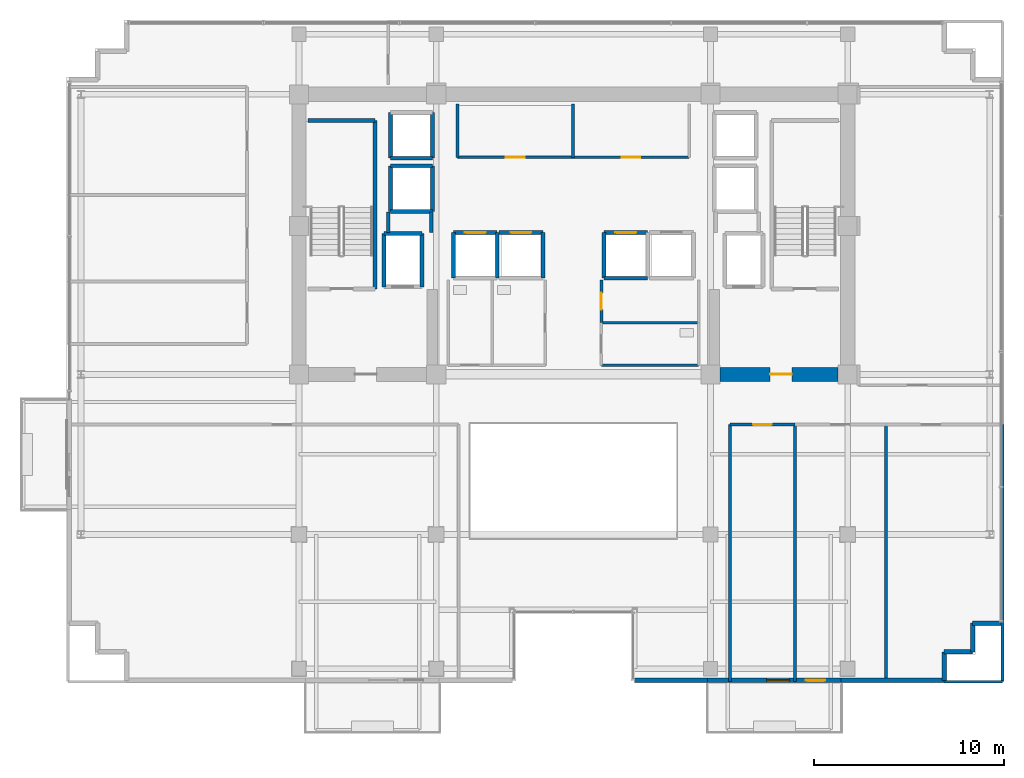
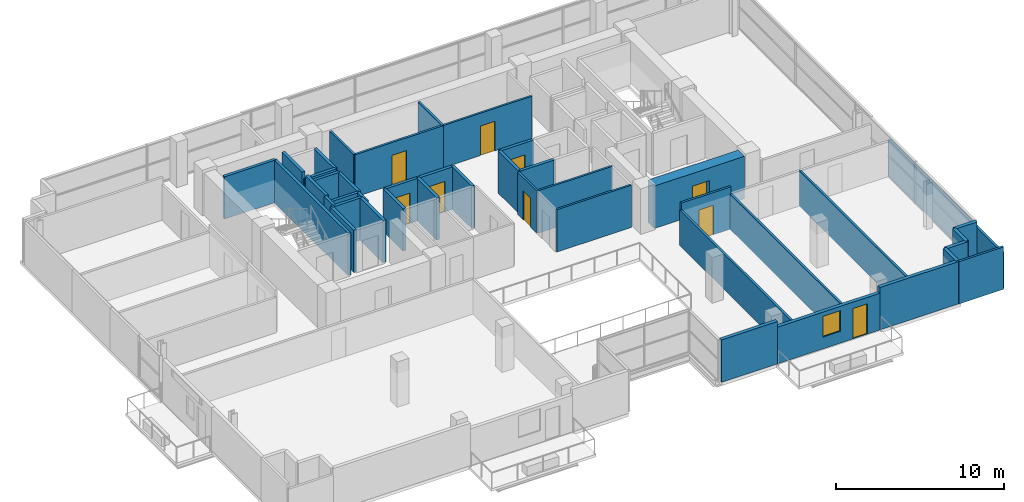
# One storey, part 15 of 21: 43 walls, 9 doors, 1 window, 10 openings.
"""IFC4 building model written with IfcOpenShell, lengths in metres."""

import ifcopenshell
import ifcopenshell.guid

model = None  # the IFC model being written
_history = None  # IfcOwnerHistory: only IFC2X3 demands one
_inside = {}  # id of a spatial element -> (the spatial element, [elements in it])
_under = {}  # id of a project, library or spatial element -> (it, [spatial elements below it])
_declared = {}  # id of a project -> (the project, [libraries it declares])
_typed = {}  # id of a type object -> (the type object, [elements of that type])
_made_of = {}  # id of a material, layer set ... -> (it, [elements and type objects made of it])


def new_model(schema):
    """Start an empty IFC model of exactly this schema.

    Asked for "IFC4X3", IfcOpenShell would pick the latest addendum, in which some entities
    have other attributes; the version numbers below select the first issue.
    IFC2X3 requires an IfcOwnerHistory on every rooted entity: one is made here for all.
    """
    global model, _history
    if schema == "IFC4X3":
        model = ifcopenshell.file(schema_version=(4, 3, 0, 0))
    else:
        model = ifcopenshell.file(schema=schema)
    _inside.clear()
    _under.clear()
    _declared.clear()
    _typed.clear()
    _made_of.clear()
    _history = None
    if model.schema == "IFC2X3":
        org = make("IfcOrganization", Name="unknown")
        user = make(
            "IfcPersonAndOrganization",
            ThePerson=make("IfcPerson", FamilyName="unknown"),
            TheOrganization=org,
        )
        app = make(
            "IfcApplication",
            ApplicationDeveloper=org,
            Version="unknown",
            ApplicationFullName="unknown",
            ApplicationIdentifier="unknown",
        )
        _history = make(
            "IfcOwnerHistory",
            OwningUser=user,
            OwningApplication=app,
            ChangeAction="ADDED",
            CreationDate=0,
        )
    return model


def make(cls, **values):
    """One entity of the class cls with the attributes given. An attribute that is None is left unset."""
    return model.create_entity(
        cls, **{name: value for name, value in values.items() if value is not None}
    )


def rooted(cls, **values):
    """An entity with a GlobalId (a new one), such as an element, a storey or a relation."""
    return make(cls, GlobalId=ifcopenshell.guid.new(), OwnerHistory=_history, **values)


def si_unit(unit_type, name, prefix=None):
    """IfcSIUnit, for example si_unit("LENGTHUNIT", "METRE", prefix="MILLI")."""
    return make("IfcSIUnit", UnitType=unit_type, Prefix=prefix, Name=name)


def assignment(units):
    """IfcUnitAssignment: the units of a project."""
    return None if units is None else make("IfcUnitAssignment", Units=units)


def point(xyz):
    """IfcCartesianPoint."""
    return None if xyz is None else make("IfcCartesianPoint", Coordinates=xyz)


def direction(xyz):
    """IfcDirection."""
    return None if xyz is None else make("IfcDirection", DirectionRatios=xyz)


def frame(location, z_axis=None, x_axis=None):
    """IfcAxis2Placement3D, a coordinate frame: its origin and axes. An axis left out is left unset."""
    return make(
        "IfcAxis2Placement3D",
        Location=point(location),
        Axis=direction(z_axis),
        RefDirection=direction(x_axis),
    )


def frame_2d(location, x_axis=None):
    """IfcAxis2Placement2D, a coordinate frame in the plane: its origin and x axis."""
    return make(
        "IfcAxis2Placement2D", Location=point(location), RefDirection=direction(x_axis)
    )


def origin():
    """The frame at (0, 0, 0) with its axes left unset."""
    return frame((0.0, 0.0, 0.0))


def place(relative_to, where):
    """IfcLocalPlacement: puts the frame where relative to a parent placement (None: the world)."""
    return make(
        "IfcLocalPlacement", PlacementRelTo=relative_to, RelativePlacement=where
    )


def context(
    kind, dimensions, precision=None, world=None, true_north=None, identifier=None
):
    """IfcGeometricRepresentationContext, for example the 3D "Model" context."""
    return make(
        "IfcGeometricRepresentationContext",
        ContextIdentifier=identifier,
        ContextType=kind,
        CoordinateSpaceDimension=dimensions,
        Precision=precision,
        WorldCoordinateSystem=world,
        TrueNorth=true_north,
    )


def subcontext(parent, identifier, kind, view, scale=None):
    """IfcGeometricRepresentationSubContext, for example "Body" below "Model"."""
    return make(
        "IfcGeometricRepresentationSubContext",
        ContextIdentifier=identifier,
        ContextType=kind,
        ParentContext=parent,
        TargetScale=scale,
        TargetView=view,
    )


def project(units=None, contexts=None):
    """IfcProject with its units and contexts."""
    return rooted(
        "IfcProject",
        Name="project",
        RepresentationContexts=contexts,
        UnitsInContext=assignment(units),
    )


def spatial(cls, under=None, at=None, **own):
    """A site, building, storey or space (cls), placed at a placement, below another one or the project."""
    s = rooted(cls, ObjectPlacement=at, **own)
    if under is not None:
        _under.setdefault(under.id(), (under, []))[1].append(s)
    return s


def profile(cls, at=None, kind="AREA", **sizes):
    """A parametric profile (cls). Its sizes go by their IFC names, for example OverallWidth=200.0."""
    return make(cls, ProfileType=kind, Position=at, **sizes)


def rectangle(**sizes):
    """IfcRectangleProfileDef."""
    return profile("IfcRectangleProfileDef", **sizes)


def extrude(swept, where, along, depth):
    """IfcExtrudedAreaSolid: the profile swept, set in the frame where, extruded along a direction by depth."""
    return make(
        "IfcExtrudedAreaSolid",
        SweptArea=swept,
        Position=where,
        ExtrudedDirection=direction(along),
        Depth=depth,
    )


def shape(context_of_items, identifier, shape_type, items):
    """IfcShapeRepresentation: the items that make up one representation, for example the "Body"."""
    return make(
        "IfcShapeRepresentation",
        ContextOfItems=context_of_items,
        RepresentationIdentifier=identifier,
        RepresentationType=shape_type,
        Items=items,
    )


def source(mapping_origin, context_of_items, identifier, shape_type, items):
    """IfcRepresentationMap: a shape defined once, which mapped items show again and again."""
    return make(
        "IfcRepresentationMap",
        MappingOrigin=mapping_origin,
        MappedRepresentation=shape(context_of_items, identifier, shape_type, items),
    )


def transform(
    local_origin,
    x_axis=None,
    y_axis=None,
    z_axis=None,
    scale=None,
    scale2=None,
    scale3=None,
    uniform=True,
):
    """IfcCartesianTransformationOperator3D, or its non-uniform kind. x_axis, y_axis, z_axis: its Axis1, 2, 3."""
    if uniform:
        return make(
            "IfcCartesianTransformationOperator3D",
            Axis1=direction(x_axis),
            Axis2=direction(y_axis),
            LocalOrigin=point(local_origin),
            Scale=scale,
            Axis3=direction(z_axis),
        )
    return make(
        "IfcCartesianTransformationOperator3DnonUniform",
        Axis1=direction(x_axis),
        Axis2=direction(y_axis),
        LocalOrigin=point(local_origin),
        Scale=scale,
        Axis3=direction(z_axis),
        Scale2=scale2,
        Scale3=scale3,
    )


def mapped(mapping_source, mapping_target):
    """IfcMappedItem: shows the shape of a source again, moved by a transform."""
    return make(
        "IfcMappedItem", MappingSource=mapping_source, MappingTarget=mapping_target
    )


def material(Name=None, Category=None):
    """IfcMaterial."""
    return make("IfcMaterial", Name=Name, Category=Category)


def layer(
    of_material, thickness, ventilated=None, Name=None, Category=None, Priority=None
):
    """IfcMaterialLayer: one layer of a wall or slab, of a material (None: an air gap)."""
    return make(
        "IfcMaterialLayer",
        Material=of_material,
        LayerThickness=thickness,
        IsVentilated=ventilated,
        Name=Name,
        Category=Category,
        Priority=Priority,
    )


def layer_set(layers, Name=None):
    """IfcMaterialLayerSet."""
    return make("IfcMaterialLayerSet", MaterialLayers=layers, LayerSetName=Name)


def made_of(thing, what):
    """Note that an element or type object is made of a material, layer set ...; save() writes the relation."""
    if what is not None:
        _made_of.setdefault(what.id(), (what, []))[1].append(thing)
    return thing


def type_object(cls, material=None, **own):
    """A type object (cls), such as IfcWallType, which elements share."""
    return made_of(rooted(cls, **own), material)


def element(
    cls,
    number,
    at=None,
    inside=None,
    cuts=None,
    type_object=None,
    material=None,
    context=None,
    identifier="Body",
    shape_type=None,
    held_by="IfcProductDefinitionShape",
    body=None,
    shapes=None,
    **own,
):
    """One element of the class cls, such as IfcWall. Its Tag is "e" and its number.

    at: its placement. inside: the storey or other place that contains it. cuts: it is an
    opening in that element (IfcRelVoidsElement). A single representation is given by context,
    identifier, shape_type and body (its items); several are given by shapes. held_by: the class
    of the entity that holds the representations. save() writes the other relations.
    """
    e = rooted(cls, Tag="e%d" % number, ObjectPlacement=at, **own)
    if body is not None:
        shapes = [shape(context, identifier, shape_type, body)]
    if shapes is not None:
        e.Representation = make(held_by, Representations=shapes)
    if inside is not None:
        _inside.setdefault(inside.id(), (inside, []))[1].append(e)
    if cuts is not None:
        rooted(
            "IfcRelVoidsElement", RelatingBuildingElement=cuts, RelatedOpeningElement=e
        )
    if type_object is not None:
        _typed.setdefault(type_object.id(), (type_object, []))[1].append(e)
    return made_of(e, material)


def fill(opening, filler):
    """IfcRelFillsElement: the door or window that sits in an opening."""
    return rooted(
        "IfcRelFillsElement",
        RelatingOpeningElement=opening,
        RelatedBuildingElement=filler,
    )


def aggregate(whole, parts):
    """IfcRelAggregates: a whole, such as a stair, and the parts it consists of."""
    return rooted("IfcRelAggregates", RelatingObject=whole, RelatedObjects=parts)


def save(model, path):
    """Write the relations noted so far, then the file.

    IfcRelAggregates (storeys below a building ...), IfcRelContainedInSpatialStructure (elements
    in a storey), IfcRelDefinesByType, IfcRelAssociatesMaterial and IfcRelDeclares: one each for
    every whole, place, type object, material and project.
    """
    for whole, parts in _under.values():
        aggregate(whole, parts)
    for where, things in _inside.values():
        rooted(
            "IfcRelContainedInSpatialStructure",
            RelatedElements=things,
            RelatingStructure=where,
        )
    for kind, things in _typed.values():
        rooted("IfcRelDefinesByType", RelatedObjects=things, RelatingType=kind)
    for what, things in _made_of.values():
        rooted("IfcRelAssociatesMaterial", RelatedObjects=things, RelatingMaterial=what)
    for by, libraries in _declared.values():
        rooted("IfcRelDeclares", RelatingContext=by, RelatedDefinitions=libraries)
    model.write(path)


model = new_model("IFC4")

# Units and contexts
model_context = context("Model", 3, precision=1e-05, world=origin(), true_north=direction((0.0, 1.0)))
body_context = subcontext(model_context, "Body", "Model", "MODEL_VIEW")
ifc_project = project(units=[si_unit("LENGTHUNIT", "METRE"), si_unit("AREAUNIT", "SQUARE_METRE"), si_unit("VOLUMEUNIT", "CUBIC_METRE"), si_unit("PLANEANGLEUNIT", "RADIAN"), si_unit("MASSUNIT", "GRAM", prefix="KILO")], contexts=[model_context])

# Site, building, storey
site_placement = place(None, origin())
site = spatial("IfcSite", under=ifc_project, at=site_placement, CompositionType="ELEMENT")
building_placement = place(site_placement, origin())
building = spatial("IfcBuilding", under=site, at=building_placement, Name="Zarnakvel Exchange Tower", CompositionType="ELEMENT")
storey_placement = place(building_placement, frame((0.0, 0.0, 159.39990234375)))
storey = spatial("IfcBuildingStorey", under=building, at=storey_placement, Name="L44", CompositionType="ELEMENT", Elevation=159.39990234375)

# Wall, opening, door
ifc_material_1 = material(Name="Concrete C60/75", Category="concrete")
ifc_layer_1 = layer(ifc_material_1, 0.75)
ifc_layer_set_1 = layer_set([ifc_layer_1], Name="Concrete C60/75")
wall_type_1 = type_object("IfcWallType", Name="CW-C3", PredefinedType="SHEAR", material=ifc_layer_set_1)
wall_1_placement = place(storey_placement, frame((13.89990234375, -1.199951171875, 0.0), z_axis=(0.0, 0.0, 1.0), x_axis=(-1.0, 0.0, 0.0)))
wall_1 = element("IfcWall", 1, at=wall_1_placement, inside=storey, type_object=wall_type_1, Name="L44 Rear Core Shear Wall SE (CW-C3)", PredefinedType="SHEAR", context=body_context, shape_type="SweptSolid", body=[
    extrude(rectangle(XDim=6.199951171875, YDim=0.75, at=frame_2d((3.10009765625, 0.0))), origin(), (0.0, 0.0, 1.0), 3.0751953125),
])
opening_1_placement = place(wall_1_placement, frame((2.425048828125, 0.0, 0.0)))
opening_1 = element("IfcOpeningElement", 2, at=opening_1_placement, cuts=wall_1, Name="Opening D-L44-04", PredefinedType="OPENING", context=body_context, shape_type="SweptSolid", body=[
    extrude(rectangle(XDim=1.14990234375, YDim=2.14990234375, at=frame_2d((0.574951171875, 1.074951171875))), frame((0.0, 0.385009765625, 0.0), z_axis=(0.0, -1.0, 0.0), x_axis=(1.0, 0.0, 0.0)), (0.0, 0.0, 1.0), 0.77001953125),
])
ifc_material_2 = material(Name="Painted Galvanised Steel S355", Category="steel")
door_type_1 = type_object("IfcDoorType", Name="DT-04", OperationType="NOTDEFINED", PredefinedType="DOOR", material=ifc_material_2)
shared_shape_1 = source(origin(), body_context, "Body", "SweptSolid", [
    extrude(rectangle(XDim=1.14990234375, YDim=2.14990234375, at=frame_2d((0.574951171875, 1.074951171875))), frame((0.0, 0.02490234375, 0.0), z_axis=(0.0, -1.0, 0.0), x_axis=(1.0, 0.0, 0.0)), (0.0, 0.0, 1.0), 0.050048828125),
])
door_1_placement = place(opening_1_placement, origin())
door_1 = element("IfcDoor", 3, at=door_1_placement, inside=storey, type_object=door_type_1, Name="L44 Firefighting Lobby East Door D-L44-04", OperationType="SINGLE_SWING_RIGHT", OverallHeight=2.14990234375, OverallWidth=1.14990234375, PredefinedType="DOOR", context=body_context, shape_type="MappedRepresentation", body=[
    mapped(shared_shape_1, transform((0.0, 0.0, 0.0), x_axis=(1.0, 0.0, 0.0), y_axis=(0.0, 1.0, 0.0), z_axis=(0.0, 0.0, 1.0), scale=1.0)),
])
fill(opening_1, door_1)

# Wall, openings, door, window
ifc_material_3 = material(Name="Precast concrete C40/50", Category="concrete")
ifc_layer_2 = layer(ifc_material_3, 0.239990234375)
ifc_layer_set_2 = layer_set([ifc_layer_2], Name="Precast concrete C40/50")
wall_type_2 = type_object("IfcWallType", Name="EW-02", PredefinedType="SOLIDWALL", material=ifc_layer_set_2)
wall_2_placement = place(storey_placement, frame((14.050048828125, -17.260009765625, 0.0), z_axis=(0.0, 0.0, 1.0), x_axis=(-1.0, 0.0, 0.0)))
wall_2 = element("IfcWall", 4, at=wall_2_placement, inside=storey, type_object=wall_type_2, Name="L44 Exterior Precast Spandrel Wall EW-BAL-L44-SE (EW-02)", PredefinedType="SOLIDWALL", context=body_context, shape_type="SweptSolid", body=[
    extrude(rectangle(XDim=7.0, YDim=0.239990234375, at=frame_2d((3.5, 0.0))), origin(), (0.0, 0.0, 1.0), 2.6650390625),
])
opening_2_placement = place(wall_2_placement, frame((0.840087890625, 0.0, 0.0)))
opening_2 = element("IfcOpeningElement", 5, at=opening_2_placement, cuts=wall_2, Name="Opening BD-L44-02", PredefinedType="OPENING", context=body_context, shape_type="SweptSolid", body=[
    extrude(rectangle(XDim=1.0, YDim=2.199951171875, at=frame_2d((0.5, 1.10009765625))), frame((0.0, 0.1298828125, 0.0), z_axis=(0.0, -1.0, 0.0), x_axis=(1.0, 0.0, 0.0)), (0.0, 0.0, 1.0), 0.260009765625),
])
opening_3_placement = place(wall_2_placement, frame((2.699951171875, 0.0, 0.85009765625)))
opening_3 = element("IfcOpeningElement", 6, at=opening_3_placement, cuts=wall_2, Name="Opening WN-04", PredefinedType="OPENING", context=body_context, shape_type="SweptSolid", body=[
    extrude(rectangle(XDim=1.199951171875, YDim=1.5, at=frame_2d((0.60009765625, 0.75))), frame((0.0, 0.1298828125, 0.0), z_axis=(0.0, -1.0, 0.0), x_axis=(1.0, 0.0, 0.0)), (0.0, 0.0, 1.0), 0.260009765625),
])
ifc_material_4 = material(Name="Architectural Bronze Anodised Aluminium", Category="aluminium")
door_type_2 = type_object("IfcDoorType", Name="DT-09", OperationType="NOTDEFINED", PredefinedType="DOOR", material=ifc_material_4)
shared_shape_2 = source(origin(), body_context, "Body", "SweptSolid", [
    extrude(rectangle(XDim=1.0, YDim=2.199951171875, at=frame_2d((0.5, 1.10009765625))), frame((0.0, 0.02490234375, 0.0), z_axis=(0.0, -1.0, 0.0), x_axis=(1.0, 0.0, 0.0)), (0.0, 0.0, 1.0), 0.050048828125),
])
door_2_placement = place(opening_2_placement, origin())
door_2 = element("IfcDoor", 7, at=door_2_placement, inside=storey, type_object=door_type_2, Name="L44 Planted Loggia Balcony Door BD-L44-02", OperationType="SINGLE_SWING_LEFT", OverallHeight=2.199951171875, OverallWidth=1.0, PredefinedType="DOOR", context=body_context, shape_type="MappedRepresentation", body=[
    mapped(shared_shape_2, transform((0.0, 0.0, 0.0), x_axis=(1.0, 0.0, 0.0), y_axis=(0.0, 1.0, 0.0), z_axis=(0.0, 0.0, 1.0), scale=1.0)),
])
fill(opening_2, door_2)
ifc_material_5 = material(Name="Double Low-E Laminated Vision Glass", Category="glass")
window_type = type_object("IfcWindowType", Name="WN-04", PartitioningType="SINGLE_PANEL", PredefinedType="WINDOW", material=ifc_material_5)
shared_shape_3 = source(origin(), body_context, "Body", "SweptSolid", [
    extrude(rectangle(XDim=1.199951171875, YDim=1.5, at=frame_2d((0.60009765625, 0.75))), frame((0.0, 0.030029296875, 0.0), z_axis=(0.0, -1.0, 0.0), x_axis=(1.0, 0.0, 0.0)), (0.0, 0.0, 1.0), 0.06005859375),
])
window_placement = place(opening_3_placement, origin())
window = element("IfcWindow", 8, at=window_placement, inside=storey, type_object=window_type, Name="L44 Loggia Daylight Window (WN-04)", OverallHeight=1.5, OverallWidth=1.199951171875, PartitioningType="SINGLE_PANEL", PredefinedType="WINDOW", context=body_context, shape_type="MappedRepresentation", body=[
    mapped(shared_shape_3, transform((0.0, 0.0, 0.0), x_axis=(1.0, 0.0, 0.0), y_axis=(0.0, 1.0, 0.0), z_axis=(0.0, 0.0, 1.0), scale=1.0)),
])
fill(opening_3, window)

# Walls
for number, where, z_axis, x_axis, name in (
    (9, (20.9599609375, -14.260009765625, 0.0), (0.0, 0.0, 1.0), (1.0, 0.0, 0.0), "L44 Exterior Precast Spandrel Wall EWC-L44-11 (EW-02)"),
    (10, (20.9599609375, -15.760009765625, 0.0), (0.0, 0.0, 1.0), (0.0, 1.0, 0.0), "L44 Exterior Precast Spandrel Wall EWC-L44-12 (EW-02)"),
    (11, (19.4599609375, -15.760009765625, 0.0), (0.0, 0.0, 1.0), (1.0, 0.0, 0.0), "L44 Exterior Precast Spandrel Wall EWC-L44-13 (EW-02)"),
    (12, (19.4599609375, -17.260009765625, 0.0), (0.0, 0.0, 1.0), (0.0, 1.0, 0.0), "L44 Exterior Precast Spandrel Wall EWC-L44-14 (EW-02)"),
):
    element("IfcWall", number, at=place(storey_placement, frame(where, z_axis=z_axis, x_axis=x_axis)), inside=storey, type_object=wall_type_2, Name=name, PredefinedType="SOLIDWALL", context=body_context, shape_type="SweptSolid", body=[
        extrude(rectangle(XDim=1.5, YDim=0.239990234375, at=frame_2d((0.75, 0.0))), origin(), (0.0, 0.0, 1.0), 3.0751953125),
    ])
wall_3_placement = place(storey_placement, frame((14.050048828125, -17.260009765625, 0.0), z_axis=(0.0, 0.0, 1.0), x_axis=(1.0, 0.0, 0.0)))
element("IfcWall", 13, at=wall_3_placement, inside=storey, type_object=wall_type_2, Name="L44 Exterior Precast Spandrel Wall EWC-L44-15 (EW-02)", PredefinedType="SOLIDWALL", context=body_context, shape_type="SweptSolid", body=[
    extrude(rectangle(XDim=5.409912109375, YDim=0.239990234375, at=frame_2d((2.705078125, 0.0))), origin(), (0.0, 0.0, 1.0), 3.0751953125),
])
wall_4_placement = place(storey_placement, frame((3.199951171875, -17.260009765625, 0.0), z_axis=(0.0, 0.0, 1.0), x_axis=(1.0, 0.0, 0.0)))
element("IfcWall", 14, at=wall_4_placement, inside=storey, type_object=wall_type_2, Name="L44 Exterior Precast Spandrel Wall EWC-L44-16 (EW-02)", PredefinedType="SOLIDWALL", context=body_context, shape_type="SweptSolid", body=[
    extrude(rectangle(XDim=3.85009765625, YDim=0.239990234375, at=frame_2d((1.925048828125, 0.0))), origin(), (0.0, 0.0, 1.0), 3.0751953125),
])

# Wall, opening, door
ifc_material_6 = material(Name="Fire-Rated Gypsum Stud Partition", Category="gypsum")
ifc_layer_3 = layer(ifc_material_6, 0.14990234375)
ifc_layer_set_3 = layer_set([ifc_layer_3], Name="Fire-Rated Gypsum Stud Partition")
wall_type_3 = type_object("IfcWallType", Name="PT-01", PredefinedType="PARTITIONING", material=ifc_layer_set_3)
wall_5_placement = place(storey_placement, frame((-0.02001953125, 10.199951171875, 0.0), z_axis=(0.0, 0.0, 1.0), x_axis=(-1.0, 0.0, 0.0)))
wall_5 = element("IfcWall", 15, at=wall_5_placement, inside=storey, type_object=wall_type_3, Name="L44 Partition Wall PWALL-L44-011 (PT-01)", PredefinedType="PARTITIONING", context=body_context, shape_type="SweptSolid", body=[
    extrude(rectangle(XDim=6.06005859375, YDim=0.14990234375, at=frame_2d((3.030029296875, 0.0))), origin(), (0.0, 0.0, 1.0), 3.0751953125),
])
opening_4_placement = place(wall_5_placement, frame((2.5400390625, 0.0, 0.0)))
opening_4 = element("IfcOpeningElement", 16, at=opening_4_placement, cuts=wall_5, Name="Opening D-L44-05", PredefinedType="OPENING", context=body_context, shape_type="SweptSolid", body=[
    extrude(rectangle(XDim=0.97998046875, YDim=2.14990234375, at=frame_2d((0.489990234375, 1.074951171875))), frame((0.0, 0.0849609375, 0.0), z_axis=(0.0, -1.0, 0.0), x_axis=(1.0, 0.0, 0.0)), (0.0, 0.0, 1.0), 0.169921875),
])
ifc_material_7 = material(Name="Timber Acoustic Veneer", Category="wood")
door_type_3 = type_object("IfcDoorType", Name="DT-05", OperationType="NOTDEFINED", PredefinedType="DOOR", material=ifc_material_7)
shared_shape_4 = source(origin(), body_context, "Body", "SweptSolid", [
    extrude(rectangle(XDim=0.97998046875, YDim=2.14990234375, at=frame_2d((0.489990234375, 1.074951171875))), frame((0.0, 0.02490234375, 0.0), z_axis=(0.0, -1.0, 0.0), x_axis=(1.0, 0.0, 0.0)), (0.0, 0.0, 1.0), 0.050048828125),
])
door_3_placement = place(opening_4_placement, origin())
door_3 = element("IfcDoor", 17, at=door_3_placement, inside=storey, type_object=door_type_3, Name="L44 Settlement Records Suite Door D-L44-05", OperationType="SINGLE_SWING_LEFT", OverallHeight=2.14990234375, OverallWidth=0.97998046875, PredefinedType="DOOR", context=body_context, shape_type="MappedRepresentation", body=[
    mapped(shared_shape_4, transform((0.0, 0.0, 0.0), x_axis=(1.0, 0.0, 0.0), y_axis=(0.0, 1.0, 0.0), z_axis=(0.0, 0.0, 1.0), scale=1.0)),
])
fill(opening_4, door_3)

# Walls
for number, where, z_axis, x_axis, name in (
    (18, (-6.080078125, 10.199951171875, 0.0), (0.0, 0.0, 1.0), (0.0, 1.0, 0.0), "L44 Partition Wall PWALL-L44-012 (PT-01)"),
    (19, (-0.02001953125, 13.0, 0.0), (0.0, 0.0, 1.0), (0.0, -1.0, 0.0), "L44 Partition Wall PWALL-L44-013 (PT-01)"),
):
    element("IfcWall", number, at=place(storey_placement, frame(where, z_axis=z_axis, x_axis=x_axis)), inside=storey, type_object=wall_type_3, Name=name, PredefinedType="PARTITIONING", context=body_context, shape_type="SweptSolid", body=[
        extrude(rectangle(XDim=2.800048828125, YDim=0.14990234375, at=frame_2d((1.39990234375, 0.0))), origin(), (0.0, 0.0, 1.0), 3.0751953125),
    ])

# Wall, opening, door
wall_6_placement = place(storey_placement, frame((1.469970703125, 1.52001953125, 0.0), z_axis=(0.0, 0.0, 1.0), x_axis=(0.0, 1.0, 0.0)))
wall_6 = element("IfcWall", 20, at=wall_6_placement, inside=storey, type_object=wall_type_3, Name="L44 Partition Wall PWALL-L44-025 (PT-01)", PredefinedType="PARTITIONING", context=body_context, shape_type="SweptSolid", body=[
    extrude(rectangle(XDim=2.239990234375, YDim=0.14990234375, at=frame_2d((1.1201171875, 0.0))), origin(), (0.0, 0.0, 1.0), 3.0751953125),
])
opening_5_placement = place(wall_6_placement, frame((0.679931640625, 0.0, 0.0)))
opening_5 = element("IfcOpeningElement", 21, at=opening_5_placement, cuts=wall_6, Name="Opening D-L44-10", PredefinedType="OPENING", context=body_context, shape_type="SweptSolid", body=[
    extrude(rectangle(XDim=0.8798828125, YDim=2.10009765625, at=frame_2d((0.43994140625, 1.050048828125))), frame((0.0, 0.0849609375, 0.0), z_axis=(0.0, -1.0, 0.0), x_axis=(1.0, 0.0, 0.0)), (0.0, 0.0, 1.0), 0.169921875),
])
door_type_4 = type_object("IfcDoorType", Name="DT-08", OperationType="NOTDEFINED", PredefinedType="DOOR", material=ifc_material_2)
shared_shape_5 = source(origin(), body_context, "Body", "SweptSolid", [
    extrude(rectangle(XDim=0.8798828125, YDim=2.10009765625, at=frame_2d((0.43994140625, 1.050048828125))), frame((0.0, 0.02490234375, 0.0), z_axis=(0.0, -1.0, 0.0), x_axis=(1.0, 0.0, 0.0)), (0.0, 0.0, 1.0), 0.050048828125),
])
door_4_placement = place(opening_5_placement, origin())
door_4 = element("IfcDoor", 22, at=door_4_placement, inside=storey, type_object=door_type_4, Name="L44 Cleaners Store Door D-L44-10", OperationType="SINGLE_SWING_RIGHT", OverallHeight=2.10009765625, OverallWidth=0.8798828125, PredefinedType="DOOR", context=body_context, shape_type="MappedRepresentation", body=[
    mapped(shared_shape_5, transform((0.0, 0.0, 0.0), x_axis=(1.0, 0.0, 0.0), y_axis=(0.0, 1.0, 0.0), z_axis=(0.0, 0.0, 1.0), scale=1.0)),
])
fill(opening_5, door_4)

wall_7_placement = place(storey_placement, frame((8.214599609375, -3.830078125, 0.0), z_axis=(0.0, 0.0, 1.0), x_axis=(1.0, 0.0, 0.0)))
wall_7 = element("IfcWall", 23, at=wall_7_placement, inside=storey, type_object=wall_type_3, Name="L44 Partition Wall PWALL-L44-032 (PT-01)", PredefinedType="PARTITIONING", context=body_context, shape_type="SweptSolid", body=[
    extrude(rectangle(XDim=3.415283203125, YDim=0.14990234375, at=frame_2d((1.70751953125, 0.0))), origin(), (0.0, 0.0, 1.0), 3.0751953125),
])
opening_6_placement = place(wall_7_placement, frame((1.21728515625, 0.0, 0.0)))
opening_6 = element("IfcOpeningElement", 24, at=opening_6_placement, cuts=wall_7, Name="Opening D-L44-12", PredefinedType="OPENING", context=body_context, shape_type="SweptSolid", body=[
    extrude(rectangle(XDim=0.97998046875, YDim=2.14990234375, at=frame_2d((0.489990234375, 1.074951171875))), frame((0.0, 0.0849609375, 0.0), z_axis=(0.0, -1.0, 0.0), x_axis=(1.0, 0.0, 0.0)), (0.0, 0.0, 1.0), 0.169921875),
])
door_5_placement = place(opening_6_placement, origin())
door_5 = element("IfcDoor", 25, at=door_5_placement, inside=storey, type_object=door_type_3, Name="L44 Meeting Room Door D-L44-12", OperationType="SINGLE_SWING_RIGHT", OverallHeight=2.14990234375, OverallWidth=0.97998046875, PredefinedType="DOOR", context=body_context, shape_type="MappedRepresentation", body=[
    mapped(shared_shape_4, transform((0.0, 0.0, 0.0), x_axis=(1.0, 0.0, 0.0), y_axis=(0.0, 1.0, 0.0), z_axis=(0.0, 0.0, 1.0), scale=1.0)),
])
fill(opening_6, door_5)

# Walls
for number, where, z_axis, x_axis, name in (
    (26, (8.214599609375, -17.330078125, 0.0), (0.0, 0.0, 1.0), (0.0, 1.0, 0.0), "L44 Partition Wall PWALL-L44-033 (PT-01)"),
    (27, (11.6298828125, -3.830078125, 0.0), (0.0, 0.0, 1.0), (0.0, -1.0, 0.0), "L44 Partition Wall PWALL-L44-034 (PT-01)"),
    (28, (16.40185546875, -3.830078125, 0.0), (0.0, 0.0, 1.0), (0.0, -1.0, 0.0), "L44 Partition Wall PWALL-L44-037 (PT-01)"),
):
    element("IfcWall", number, at=place(storey_placement, frame(where, z_axis=z_axis, x_axis=x_axis)), inside=storey, type_object=wall_type_3, Name=name, PredefinedType="PARTITIONING", context=body_context, shape_type="SweptSolid", body=[
        extrude(rectangle(XDim=13.5, YDim=0.14990234375, at=frame_2d((6.75, 0.0))), origin(), (0.0, 0.0, 1.0), 2.565185546875),
    ])
wall_8_placement = place(storey_placement, frame((22.530029296875, -17.330078125, 0.0), z_axis=(0.0, 0.0, 1.0), x_axis=(-1.0, 0.0, 0.0)))
element("IfcWall", 29, at=wall_8_placement, inside=storey, type_object=wall_type_3, Name="L44 Partition Wall PWALL-L44-038 (PT-01)", PredefinedType="PARTITIONING", context=body_context, shape_type="SweptSolid", body=[
    extrude(rectangle(XDim=3.070068359375, YDim=0.14990234375, at=frame_2d((1.53515625, 0.0))), origin(), (0.0, 0.0, 1.0), 3.0751953125),
])
wall_9_placement = place(storey_placement, frame((22.530029296875, -3.830078125, 0.0), z_axis=(0.0, 0.0, 1.0), x_axis=(0.0, -1.0, 0.0)))
element("IfcWall", 30, at=wall_9_placement, inside=storey, type_object=wall_type_3, Name="L44 Partition Wall PWALL-L44-040 (PT-01)", PredefinedType="PARTITIONING", context=body_context, shape_type="SweptSolid", body=[
    extrude(rectangle(XDim=13.5, YDim=0.14990234375, at=frame_2d((6.75, 0.0))), origin(), (0.0, 0.0, 1.0), 2.6650390625),
])
ifc_layer_4 = layer(ifc_material_6, 0.179931640625)
ifc_layer_set_4 = layer_set([ifc_layer_4], Name="Fire-Rated Gypsum Stud Partition")
wall_type_4 = type_object("IfcWallType", Name="PT-02", PredefinedType="PARTITIONING", material=ifc_layer_set_4)
wall_10_placement = place(storey_placement, frame((-9.72998046875, 6.239990234375, 0.0), z_axis=(0.0, 0.0, 1.0), x_axis=(0.0, 1.0, 0.0)))
element("IfcWall", 31, at=wall_10_placement, inside=storey, type_object=wall_type_4, Name="L44 Partition Wall PWALL-L44-007 (PT-02)", PredefinedType="PARTITIONING", context=body_context, shape_type="SweptSolid", body=[
    extrude(rectangle(XDim=1.090087890625, YDim=0.179931640625, at=frame_2d((0.544921875, 0.0))), origin(), (0.0, 0.0, 1.0), 3.0751953125),
])
wall_11_placement = place(storey_placement, frame((-7.469970703125, 7.330078125, 0.0), z_axis=(0.0, 0.0, 1.0), x_axis=(0.0, -1.0, 0.0)))
element("IfcWall", 32, at=wall_11_placement, inside=storey, type_object=wall_type_4, Name="L44 Partition Wall PWALL-L44-008 (PT-02)", PredefinedType="PARTITIONING", context=body_context, shape_type="SweptSolid", body=[
    extrude(rectangle(XDim=1.090087890625, YDim=0.179931640625, at=frame_2d((0.544921875, 0.0))), origin(), (0.0, 0.0, 1.0), 2.565185546875),
])

# Wall, opening, door
ifc_material_8 = material(Name="Moisture-Resistant Tile-Faced Partition", Category="gypsum")
ifc_layer_5 = layer(ifc_material_8, 0.135009765625)
ifc_layer_set_5 = layer_set([ifc_layer_5], Name="Moisture-Resistant Tile-Faced Partition")
wall_type_5 = type_object("IfcWallType", Name="PT-03", PredefinedType="PARTITIONING", material=ifc_layer_set_5)
wall_12_placement = place(storey_placement, frame((6.080078125, 10.199951171875, 0.0), z_axis=(0.0, 0.0, 1.0), x_axis=(-1.0, 0.0, 0.0)))
wall_12 = element("IfcWall", 33, at=wall_12_placement, inside=storey, type_object=wall_type_5, Name="L44 Partition Wall PWALL-L44-014 (PT-03)", PredefinedType="PARTITIONING", context=body_context, shape_type="SweptSolid", body=[
    extrude(rectangle(XDim=6.10009765625, YDim=0.135009765625, at=frame_2d((3.050048828125, 0.0))), origin(), (0.0, 0.0, 1.0), 3.0751953125),
])
opening_7_placement = place(wall_12_placement, frame((2.56005859375, 0.0, 0.0)))
opening_7 = element("IfcOpeningElement", 34, at=opening_7_placement, cuts=wall_12, Name="Opening D-L44-06", PredefinedType="OPENING", context=body_context, shape_type="SweptSolid", body=[
    extrude(rectangle(XDim=0.97998046875, YDim=2.14990234375, at=frame_2d((0.489990234375, 1.074951171875))), frame((0.0, 0.077392578125, 0.0), z_axis=(0.0, -1.0, 0.0), x_axis=(1.0, 0.0, 0.0)), (0.0, 0.0, 1.0), 0.155029296875),
])
door_6_placement = place(opening_7_placement, origin())
door_6 = element("IfcDoor", 35, at=door_6_placement, inside=storey, type_object=door_type_3, Name="L44 Staff Refreshment Pantry Door D-L44-06", OperationType="SINGLE_SWING_RIGHT", OverallHeight=2.14990234375, OverallWidth=0.97998046875, PredefinedType="DOOR", context=body_context, shape_type="MappedRepresentation", body=[
    mapped(shared_shape_4, transform((0.0, 0.0, 0.0), x_axis=(1.0, 0.0, 0.0), y_axis=(0.0, 1.0, 0.0), z_axis=(0.0, 0.0, 1.0), scale=1.0)),
])
fill(opening_7, door_6)

# Walls
for number, where, z_axis, x_axis, name in (
    (36, (6.580078125, -0.72998046875, 0.0), (0.0, 0.0, 1.0), (-1.0, 0.0, 0.0), "L44 Partition Wall PWALL-L44-021 (PT-03)"),
    (37, (1.469970703125, 1.52001953125, 0.0), (0.0, 0.0, 1.0), (1.0, 0.0, 0.0), "L44 Partition Wall PWALL-L44-022 (PT-03)"),
):
    element("IfcWall", number, at=place(storey_placement, frame(where, z_axis=z_axis, x_axis=x_axis)), inside=storey, type_object=wall_type_5, Name=name, PredefinedType="PARTITIONING", context=body_context, shape_type="SweptSolid", body=[
        extrude(rectangle(XDim=5.110107421875, YDim=0.135009765625, at=frame_2d((2.55517578125, 0.0))), origin(), (0.0, 0.0, 1.0), 3.0751953125),
    ])
ifc_material_9 = material(Name="Concrete C40/50", Category="concrete")
ifc_layer_6 = layer(ifc_material_9, 0.199951171875)
ifc_layer_set_6 = layer_set([ifc_layer_6], Name="Concrete C40/50")
wall_type_6 = type_object("IfcWallType", Name="SW-01", PredefinedType="SOLIDWALL", material=ifc_layer_set_6)
wall_13_placement = place(storey_placement, frame((-9.949951171875, 6.199951171875, 0.0), z_axis=(0.0, 0.0, 1.0), x_axis=(1.0, 0.0, 0.0)))
element("IfcWall", 38, at=wall_13_placement, inside=storey, type_object=wall_type_6, Name="L44 FL-01 Hoistway Wall North", PredefinedType="SOLIDWALL", context=body_context, shape_type="SweptSolid", body=[
    extrude(rectangle(XDim=2.0, YDim=0.199951171875, at=frame_2d((1.0, 0.0))), origin(), (0.0, 0.0, 1.0), 3.0751953125),
])
for number, where, z_axis, x_axis, name in (
    (39, (-9.949951171875, 3.39990234375, 0.0), (0.0, 0.0, 1.0), (0.0, 1.0, 0.0), "L44 FL-01 Hoistway Wall West"),
    (40, (-7.949951171875, 6.199951171875, 0.0), (0.0, 0.0, 1.0), (0.0, -1.0, 0.0), "L44 FL-01 Hoistway Wall East"),
):
    element("IfcWall", number, at=place(storey_placement, frame(where, z_axis=z_axis, x_axis=x_axis)), inside=storey, type_object=wall_type_6, Name=name, PredefinedType="SOLIDWALL", context=body_context, shape_type="SweptSolid", body=[
        extrude(rectangle(XDim=2.800048828125, YDim=0.199951171875, at=frame_2d((1.39990234375, 0.0))), origin(), (0.0, 0.0, 1.0), 3.0751953125),
    ])

# Wall, opening, door
wall_14_placement = place(storey_placement, frame((-6.300048828125, 6.25, 0.0), z_axis=(0.0, 0.0, 1.0), x_axis=(1.0, 0.0, 0.0)))
wall_14 = element("IfcWall", 41, at=wall_14_placement, inside=storey, type_object=wall_type_6, Name="L44 PL-05 Hoistway Wall North", PredefinedType="SOLIDWALL", context=body_context, shape_type="SweptSolid", body=[
    extrude(rectangle(XDim=2.300048828125, YDim=0.199951171875, at=frame_2d((1.14990234375, 0.0))), origin(), (0.0, 0.0, 1.0), 3.0751953125),
])
opening_8_placement = place(wall_14_placement, frame((0.60009765625, 0.0, 0.0)))
opening_8 = element("IfcOpeningElement", 42, at=opening_8_placement, cuts=wall_14, Name="Opening LD-PL-05-L44", PredefinedType="OPENING", context=body_context, shape_type="SweptSolid", body=[
    extrude(rectangle(XDim=1.10009765625, YDim=2.199951171875, at=frame_2d((0.550048828125, 1.10009765625))), frame((0.0, 0.10986328125, 0.0), z_axis=(0.0, -1.0, 0.0), x_axis=(1.0, 0.0, 0.0)), (0.0, 0.0, 1.0), 0.219970703125),
])
door_type_5 = type_object("IfcDoorType", Name="LDT-02", OperationType="NOTDEFINED", PredefinedType="DOOR", material=ifc_material_4)
shared_shape_6 = source(origin(), body_context, "Body", "SweptSolid", [
    extrude(rectangle(XDim=1.10009765625, YDim=2.199951171875, at=frame_2d((0.550048828125, 1.10009765625))), frame((0.0, 0.02490234375, 0.0), z_axis=(0.0, -1.0, 0.0), x_axis=(1.0, 0.0, 0.0)), (0.0, 0.0, 1.0), 0.050048828125),
])
door_7_placement = place(opening_8_placement, origin())
door_7 = element("IfcDoor", 43, at=door_7_placement, inside=storey, type_object=door_type_5, Name="L44 PL-05 Lift Landing Door LD-PL-05-L44", OperationType="DOUBLE_DOOR_SLIDING", OverallHeight=2.199951171875, OverallWidth=1.10009765625, PredefinedType="DOOR", context=body_context, shape_type="MappedRepresentation", body=[
    mapped(shared_shape_6, transform((0.0, 0.0, 0.0), x_axis=(1.0, 0.0, 0.0), y_axis=(0.0, 1.0, 0.0), z_axis=(0.0, 0.0, 1.0), scale=1.0)),
])
fill(opening_8, door_7)

# Walls
for number, where, z_axis, x_axis, name in (
    (44, (-6.300048828125, 3.85009765625, 0.0), (0.0, 0.0, 1.0), (0.0, 1.0, 0.0), "L44 PL-05 Hoistway Wall West"),
    (45, (-4.0, 6.25, 0.0), (0.0, 0.0, 1.0), (0.0, -1.0, 0.0), "L44 PL-05 Hoistway Wall East"),
):
    element("IfcWall", number, at=place(storey_placement, frame(where, z_axis=z_axis, x_axis=x_axis)), inside=storey, type_object=wall_type_6, Name=name, PredefinedType="SOLIDWALL", context=body_context, shape_type="SweptSolid", body=[
        extrude(rectangle(XDim=2.39990234375, YDim=0.199951171875, at=frame_2d((1.199951171875, 0.0))), origin(), (0.0, 0.0, 1.0), 3.0751953125),
    ])

# Wall, opening, door
wall_15_placement = place(storey_placement, frame((-3.89990234375, 6.25, 0.0), z_axis=(0.0, 0.0, 1.0), x_axis=(1.0, 0.0, 0.0)))
wall_15 = element("IfcWall", 46, at=wall_15_placement, inside=storey, type_object=wall_type_6, Name="L44 PL-06 Hoistway Wall North", PredefinedType="SOLIDWALL", context=body_context, shape_type="SweptSolid", body=[
    extrude(rectangle(XDim=2.2998046875, YDim=0.199951171875, at=frame_2d((1.14990234375, 0.0))), origin(), (0.0, 0.0, 1.0), 3.0751953125),
])
opening_9_placement = place(wall_15_placement, frame((0.60009765625, 0.0, 0.0)))
opening_9 = element("IfcOpeningElement", 47, at=opening_9_placement, cuts=wall_15, Name="Opening LD-PL-06-L44", PredefinedType="OPENING", context=body_context, shape_type="SweptSolid", body=[
    extrude(rectangle(XDim=1.10009765625, YDim=2.199951171875, at=frame_2d((0.550048828125, 1.10009765625))), frame((0.0, 0.10986328125, 0.0), z_axis=(0.0, -1.0, 0.0), x_axis=(1.0, 0.0, 0.0)), (0.0, 0.0, 1.0), 0.219970703125),
])
door_8_placement = place(opening_9_placement, origin())
door_8 = element("IfcDoor", 48, at=door_8_placement, inside=storey, type_object=door_type_5, Name="L44 PL-06 Lift Landing Door LD-PL-06-L44", OperationType="DOUBLE_DOOR_SLIDING", OverallHeight=2.199951171875, OverallWidth=1.10009765625, PredefinedType="DOOR", context=body_context, shape_type="MappedRepresentation", body=[
    mapped(shared_shape_6, transform((0.0, 0.0, 0.0), x_axis=(1.0, 0.0, 0.0), y_axis=(0.0, 1.0, 0.0), z_axis=(0.0, 0.0, 1.0), scale=1.0)),
])
fill(opening_9, door_8)

# Walls
wall_16_placement = place(storey_placement, frame((-1.60009765625, 6.25, 0.0), z_axis=(0.0, 0.0, 1.0), x_axis=(0.0, -1.0, 0.0)))
element("IfcWall", 49, at=wall_16_placement, inside=storey, type_object=wall_type_6, Name="L44 PL-06 Hoistway Wall East", PredefinedType="SOLIDWALL", context=body_context, shape_type="SweptSolid", body=[
    extrude(rectangle(XDim=2.39990234375, YDim=0.199951171875, at=frame_2d((1.199951171875, 0.0))), origin(), (0.0, 0.0, 1.0), 3.0751953125),
])
wall_17_placement = place(storey_placement, frame((3.89990234375, 3.85009765625, 0.0), z_axis=(0.0, 0.0, 1.0), x_axis=(-1.0, 0.0, 0.0)))
element("IfcWall", 50, at=wall_17_placement, inside=storey, type_object=wall_type_6, Name="L44 PL-07 Hoistway Wall South", PredefinedType="SOLIDWALL", context=body_context, shape_type="SweptSolid", body=[
    extrude(rectangle(XDim=2.2998046875, YDim=0.199951171875, at=frame_2d((1.14990234375, 0.0))), origin(), (0.0, 0.0, 1.0), 3.0751953125),
])

# Wall, opening, door
wall_18_placement = place(storey_placement, frame((1.60009765625, 6.25, 0.0), z_axis=(0.0, 0.0, 1.0), x_axis=(1.0, 0.0, 0.0)))
wall_18 = element("IfcWall", 51, at=wall_18_placement, inside=storey, type_object=wall_type_6, Name="L44 PL-07 Hoistway Wall North", PredefinedType="SOLIDWALL", context=body_context, shape_type="SweptSolid", body=[
    extrude(rectangle(XDim=2.2998046875, YDim=0.199951171875, at=frame_2d((1.14990234375, 0.0))), origin(), (0.0, 0.0, 1.0), 3.0751953125),
])
opening_10_placement = place(wall_18_placement, frame((0.60009765625, 0.0, 0.0)))
opening_10 = element("IfcOpeningElement", 52, at=opening_10_placement, cuts=wall_18, Name="Opening LD-PL-07-L44", PredefinedType="OPENING", context=body_context, shape_type="SweptSolid", body=[
    extrude(rectangle(XDim=1.10009765625, YDim=2.199951171875, at=frame_2d((0.550048828125, 1.10009765625))), frame((0.0, 0.10986328125, 0.0), z_axis=(0.0, -1.0, 0.0), x_axis=(1.0, 0.0, 0.0)), (0.0, 0.0, 1.0), 0.219970703125),
])
door_9_placement = place(opening_10_placement, origin())
door_9 = element("IfcDoor", 53, at=door_9_placement, inside=storey, type_object=door_type_5, Name="L44 PL-07 Lift Landing Door LD-PL-07-L44", OperationType="DOUBLE_DOOR_SLIDING", OverallHeight=2.199951171875, OverallWidth=1.10009765625, PredefinedType="DOOR", context=body_context, shape_type="MappedRepresentation", body=[
    mapped(shared_shape_6, transform((0.0, 0.0, 0.0), x_axis=(1.0, 0.0, 0.0), y_axis=(0.0, 1.0, 0.0), z_axis=(0.0, 0.0, 1.0), scale=1.0)),
])
fill(opening_10, door_9)

# Walls
wall_19_placement = place(storey_placement, frame((1.60009765625, 3.85009765625, 0.0), z_axis=(0.0, 0.0, 1.0), x_axis=(0.0, 1.0, 0.0)))
element("IfcWall", 54, at=wall_19_placement, inside=storey, type_object=wall_type_6, Name="L44 PL-07 Hoistway Wall West", PredefinedType="SOLIDWALL", context=body_context, shape_type="SweptSolid", body=[
    extrude(rectangle(XDim=2.39990234375, YDim=0.199951171875, at=frame_2d((1.199951171875, 0.0))), origin(), (0.0, 0.0, 1.0), 3.0751953125),
])
for number, where, z_axis, x_axis, name in (
    (55, (-7.39990234375, 7.35009765625, 0.0), (0.0, 0.0, 1.0), (-1.0, 0.0, 0.0), "L44 PL-09 Hoistway Wall South"),
    (56, (-9.60009765625, 9.75, 0.0), (0.0, 0.0, 1.0), (1.0, 0.0, 0.0), "L44 PL-09 Hoistway Wall North"),
):
    element("IfcWall", number, at=place(storey_placement, frame(where, z_axis=z_axis, x_axis=x_axis)), inside=storey, type_object=wall_type_6, Name=name, PredefinedType="SOLIDWALL", context=body_context, shape_type="SweptSolid", body=[
        extrude(rectangle(XDim=2.2001953125, YDim=0.199951171875, at=frame_2d((1.10009765625, 0.0))), origin(), (0.0, 0.0, 1.0), 2.565185546875),
    ])
wall_20_placement = place(storey_placement, frame((-9.60009765625, 7.35009765625, 0.0), z_axis=(0.0, 0.0, 1.0), x_axis=(0.0, 1.0, 0.0)))
element("IfcWall", 57, at=wall_20_placement, inside=storey, type_object=wall_type_6, Name="L44 PL-09 Hoistway Wall West", PredefinedType="SOLIDWALL", context=body_context, shape_type="SweptSolid", body=[
    extrude(rectangle(XDim=2.39990234375, YDim=0.199951171875, at=frame_2d((1.199951171875, 0.0))), origin(), (0.0, 0.0, 1.0), 3.0751953125),
])
wall_21_placement = place(storey_placement, frame((-7.39990234375, 9.75, 0.0), z_axis=(0.0, 0.0, 1.0), x_axis=(0.0, -1.0, 0.0)))
element("IfcWall", 58, at=wall_21_placement, inside=storey, type_object=wall_type_6, Name="L44 PL-09 Hoistway Wall East", PredefinedType="SOLIDWALL", context=body_context, shape_type="SweptSolid", body=[
    extrude(rectangle(XDim=2.39990234375, YDim=0.199951171875, at=frame_2d((1.199951171875, 0.0))), origin(), (0.0, 0.0, 1.0), 2.565185546875),
])
wall_22_placement = place(storey_placement, frame((-7.39990234375, 10.14990234375, 0.0), z_axis=(0.0, 0.0, 1.0), x_axis=(-1.0, 0.0, 0.0)))
element("IfcWall", 59, at=wall_22_placement, inside=storey, type_object=wall_type_6, Name="L44 PL-10 Hoistway Wall South", PredefinedType="SOLIDWALL", context=body_context, shape_type="SweptSolid", body=[
    extrude(rectangle(XDim=2.2001953125, YDim=0.199951171875, at=frame_2d((1.10009765625, 0.0))), origin(), (0.0, 0.0, 1.0), 2.565185546875),
])
wall_23_placement = place(storey_placement, frame((-9.60009765625, 10.14990234375, 0.0), z_axis=(0.0, 0.0, 1.0), x_axis=(0.0, 1.0, 0.0)))
element("IfcWall", 60, at=wall_23_placement, inside=storey, type_object=wall_type_6, Name="L44 PL-10 Hoistway Wall West", PredefinedType="SOLIDWALL", context=body_context, shape_type="SweptSolid", body=[
    extrude(rectangle(XDim=2.400146484375, YDim=0.199951171875, at=frame_2d((1.2001953125, 0.0))), origin(), (0.0, 0.0, 1.0), 3.0751953125),
])
wall_24_placement = place(storey_placement, frame((-7.39990234375, 12.550048828125, 0.0), z_axis=(0.0, 0.0, 1.0), x_axis=(0.0, -1.0, 0.0)))
element("IfcWall", 61, at=wall_24_placement, inside=storey, type_object=wall_type_6, Name="L44 PL-10 Hoistway Wall East", PredefinedType="SOLIDWALL", context=body_context, shape_type="SweptSolid", body=[
    extrude(rectangle(XDim=2.400146484375, YDim=0.199951171875, at=frame_2d((1.2001953125, 0.0))), origin(), (0.0, 0.0, 1.0), 2.565185546875),
])
ifc_layer_7 = layer(ifc_material_9, 0.199951171875)
ifc_layer_set_7 = layer_set([ifc_layer_7], Name="Concrete C40/50")
wall_type_7 = type_object("IfcWallType", Name="SW-02", PredefinedType="SOLIDWALL", material=ifc_layer_set_7)
wall_25_placement = place(storey_placement, frame((-13.929931640625, 12.1298828125, 0.0), z_axis=(0.0, 0.0, 1.0), x_axis=(1.0, 0.0, 0.0)))
element("IfcWall", 62, at=wall_25_placement, inside=storey, type_object=wall_type_7, Name="L44 Stairwell Core Wall PWALL-L44-002 (SW-02)", PredefinedType="SOLIDWALL", context=body_context, shape_type="SweptSolid", body=[
    extrude(rectangle(XDim=3.52001953125, YDim=0.199951171875, at=frame_2d((1.760009765625, 0.0))), origin(), (0.0, 0.0, 1.0), 3.0751953125),
])
wall_26_placement = place(storey_placement, frame((-10.409912109375, 12.1298828125, 0.0), z_axis=(0.0, 0.0, 1.0), x_axis=(0.0, -1.0, 0.0)))
element("IfcWall", 63, at=wall_26_placement, inside=storey, type_object=wall_type_7, Name="L44 Stairwell Core Wall PWALL-L44-003 (SW-02)", PredefinedType="SOLIDWALL", context=body_context, shape_type="SweptSolid", body=[
    extrude(rectangle(XDim=8.83984375, YDim=0.199951171875, at=frame_2d((4.419921875, 0.0))), origin(), (0.0, 0.0, 1.0), 3.0751953125),
])

save(model, "model.ifc")
